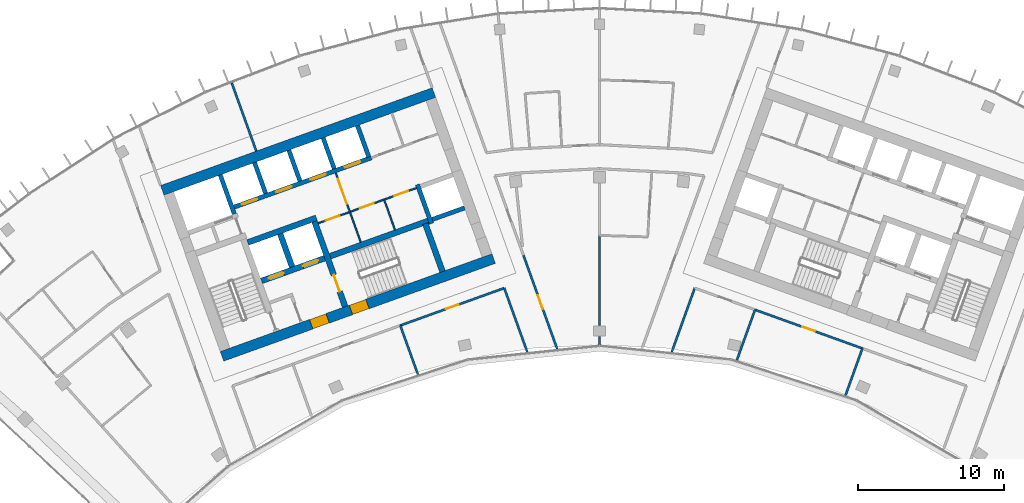
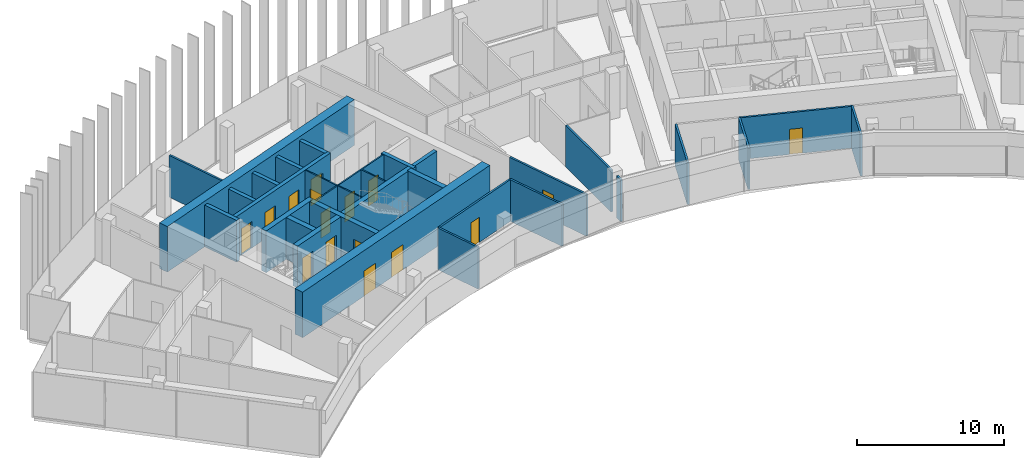
# One storey, part 14 of 19: 29 walls, 16 doors, 16 openings.
"""IFC4 building model written with IfcOpenShell, lengths in metres."""

from ifc_helpers import new_model, si_unit, direction, frame, frame_2d, origin, place, context, subcontext, project, spatial, rectangle, extrude, material, layer, layer_set, type_object, element, fill, save


model = new_model("IFC4")

# Units and contexts
model_context = context("Model", 3, precision=1e-05, world=origin(), true_north=direction((0.0, 1.0)))
body_context = subcontext(model_context, "Body", "Model", "MODEL_VIEW")
ifc_project = project(units=[si_unit("LENGTHUNIT", "METRE"), si_unit("AREAUNIT", "SQUARE_METRE"), si_unit("VOLUMEUNIT", "CUBIC_METRE"), si_unit("PLANEANGLEUNIT", "RADIAN"), si_unit("MASSUNIT", "GRAM", prefix="KILO")], contexts=[model_context])

# Site, building, storey
site_placement = place(None, origin())
site = spatial("IfcSite", under=ifc_project, at=site_placement, CompositionType="ELEMENT")
building_placement = place(site_placement, origin())
building = spatial("IfcBuilding", under=site, at=building_placement, Name="Stone Belt Terrace Tower", CompositionType="ELEMENT")
storey_placement = place(building_placement, frame((0.0, 0.0, 292.199951171875)))
storey = spatial("IfcBuildingStorey", under=building, at=storey_placement, Name="L71", CompositionType="ELEMENT", Elevation=292.199951171875)

# Wall, openings, doors
ifc_material_1 = material(Name="Plasterboard partition")
ifc_layer_1 = layer(ifc_material_1, 0.10009765625)
ifc_layer_set_1 = layer_set([ifc_layer_1], Name="Core partition 100")
wall_type_1 = type_object("IfcWallType", Name="Core partition 100", PredefinedType="PARTITIONING", material=ifc_layer_set_1)
wall_1_placement = place(storey_placement, frame((-19.29052734375, 51.829833984375, 0.0), z_axis=(0.0, 0.0, 1.0), x_axis=(0.94092179465, 0.338623945331, 0.0)))
wall_1 = element("IfcWall", 1, at=wall_1_placement, inside=storey, type_object=wall_type_1, Name="Core A wall", PredefinedType="PARTITIONING", context=body_context, shape_type="SweptSolid", body=[
    extrude(rectangle(XDim=7.14990234375, YDim=0.10009765625, at=frame_2d((3.574951171875, 0.0))), origin(), (0.0, 0.0, 1.0), 3.47998046875),
])
opening_1_placement = place(wall_1_placement, frame((0.550048828125, 0.0, 0.0)))
opening_1 = element("IfcOpeningElement", 2, at=opening_1_placement, cuts=wall_1, Name="Opening L71-C03", PredefinedType="OPENING", context=body_context, shape_type="SweptSolid", body=[
    extrude(rectangle(XDim=1.0, YDim=2.10009765625, at=frame_2d((0.5, 1.050048828125))), frame((0.0, 0.06005859375, 0.0), z_axis=(0.0, -1.0, 0.0), x_axis=(1.0, 0.0, 0.0)), (0.0, 0.0, 1.0), 0.1201171875),
])
opening_2_placement = place(wall_1_placement, frame((3.050048828125, 0.0, 0.0)))
opening_2 = element("IfcOpeningElement", 3, at=opening_2_placement, cuts=wall_1, Name="Opening L71-C04", PredefinedType="OPENING", context=body_context, shape_type="SweptSolid", body=[
    extrude(rectangle(XDim=1.0, YDim=2.10009765625, at=frame_2d((0.5, 1.050048828125))), frame((0.0, 0.06005859375, 0.0), z_axis=(0.0, -1.0, 0.0), x_axis=(1.0, 0.0, 0.0)), (0.0, 0.0, 1.0), 0.1201171875),
])
opening_3_placement = place(wall_1_placement, frame((5.550048828125, 0.0, 0.0)))
opening_3 = element("IfcOpeningElement", 4, at=opening_3_placement, cuts=wall_1, Name="Opening L71-C05", PredefinedType="OPENING", context=body_context, shape_type="SweptSolid", body=[
    extrude(rectangle(XDim=1.0, YDim=2.10009765625, at=frame_2d((0.5, 1.050048828125))), frame((0.0, 0.06005859375, 0.0), z_axis=(0.0, -1.0, 0.0), x_axis=(1.0, 0.0, 0.0)), (0.0, 0.0, 1.0), 0.1201171875),
])
ifc_material_2 = material(Name="Timber door leaf", Category="wood")
door_type_1 = type_object("IfcDoorType", Name="Core room door 1000", OperationType="SINGLE_SWING_LEFT", PredefinedType="DOOR", material=ifc_material_2)
door_1_placement = place(opening_1_placement, origin())
door_1 = element("IfcDoor", 5, at=door_1_placement, inside=storey, type_object=door_type_1, Name="Door to Electrical room core A", OperationType="SINGLE_SWING_LEFT", OverallHeight=2.10009765625, OverallWidth=1.0, PredefinedType="DOOR", context=body_context, shape_type="SweptSolid", body=[
    extrude(rectangle(XDim=1.0, YDim=2.10009765625, at=frame_2d((0.5, 1.050048828125))), frame((0.0, 0.02490234375, 0.0), z_axis=(0.0, -1.0, 0.0), x_axis=(1.0, 0.0, 0.0)), (0.0, 0.0, 1.0), 0.050048828125),
])
fill(opening_1, door_1)
door_2_placement = place(opening_2_placement, origin())
door_2 = element("IfcDoor", 6, at=door_2_placement, inside=storey, type_object=door_type_1, Name="Door to Ventilation plant room core A", OperationType="SINGLE_SWING_RIGHT", OverallHeight=2.10009765625, OverallWidth=1.0, PredefinedType="DOOR", context=body_context, shape_type="SweptSolid", body=[
    extrude(rectangle(XDim=1.0, YDim=2.10009765625, at=frame_2d((0.5, 1.050048828125))), frame((0.0, 0.02490234375, 0.0), z_axis=(0.0, -1.0, 0.0), x_axis=(1.0, 0.0, 0.0)), (0.0, 0.0, 1.0), 0.050048828125),
])
fill(opening_2, door_2)
door_3_placement = place(opening_3_placement, origin())
door_3 = element("IfcDoor", 7, at=door_3_placement, inside=storey, type_object=door_type_1, Name="Door to Services store core A", OperationType="SINGLE_SWING_LEFT", OverallHeight=2.10009765625, OverallWidth=1.0, PredefinedType="DOOR", context=body_context, shape_type="SweptSolid", body=[
    extrude(rectangle(XDim=1.0, YDim=2.10009765625, at=frame_2d((0.5, 1.050048828125))), frame((0.0, 0.02490234375, 0.0), z_axis=(0.0, -1.0, 0.0), x_axis=(1.0, 0.0, 0.0)), (0.0, 0.0, 1.0), 0.050048828125),
])
fill(opening_3, door_3)

# Wall, opening, door
wall_2_placement = place(storey_placement, frame((-16.38134765625, 50.53857421875, 0.0), z_axis=(0.0, 0.0, 1.0), x_axis=(-0.33860476744, 0.940928696271, 0.0)))
wall_2 = element("IfcWall", 8, at=wall_2_placement, inside=storey, type_object=wall_type_1, Name="Core A wall", PredefinedType="PARTITIONING", context=body_context, shape_type="SweptSolid", body=[
    extrude(rectangle(XDim=5.050048828125, YDim=0.10009765625, at=frame_2d((2.52490234375, 0.0))), origin(), (0.0, 0.0, 1.0), 3.47998046875),
])
opening_4_placement = place(wall_2_placement, frame((2.800048828125, 0.0, 0.0)))
opening_4 = element("IfcOpeningElement", 9, at=opening_4_placement, cuts=wall_2, Name="Opening L71-C08", PredefinedType="OPENING", context=body_context, shape_type="SweptSolid", body=[
    extrude(rectangle(XDim=1.800048828125, YDim=2.10009765625, at=frame_2d((0.89990234375, 1.050048828125))), frame((0.0, 0.06005859375, 0.0), z_axis=(0.0, -1.0, 0.0), x_axis=(1.0, 0.0, 0.0)), (0.0, 0.0, 1.0), 0.1201171875),
])
ifc_material_3 = material(Name="Glazed aluminium door leaf", Category="aluminium")
door_type_2 = type_object("IfcDoorType", Name="Lift lobby entrance door 1800", OperationType="DOUBLE_DOOR_SINGLE_SWING", PredefinedType="DOOR", material=ifc_material_3)
door_4_placement = place(opening_4_placement, origin())
door_4 = element("IfcDoor", 10, at=door_4_placement, inside=storey, type_object=door_type_2, Name="Lift lobby double door core A", OperationType="DOUBLE_DOOR_SINGLE_SWING", OverallHeight=2.10009765625, OverallWidth=1.800048828125, PredefinedType="DOOR", context=body_context, shape_type="SweptSolid", body=[
    extrude(rectangle(XDim=1.800048828125, YDim=2.10009765625, at=frame_2d((0.89990234375, 1.050048828125))), frame((0.0, 0.02490234375, 0.0), z_axis=(0.0, -1.0, 0.0), x_axis=(1.0, 0.0, 0.0)), (0.0, 0.0, 1.0), 0.050048828125),
])
fill(opening_4, door_4)

# Wall
wall_3_placement = place(storey_placement, frame((-14.029052734375, 51.38525390625, 0.0), z_axis=(0.0, 0.0, 1.0), x_axis=(-0.338622960269, 0.940922149159, 0.0)))
element("IfcWall", 11, at=wall_3_placement, inside=storey, type_object=wall_type_1, Name="Core A wall", PredefinedType="PARTITIONING", context=body_context, shape_type="SweptSolid", body=[
    extrude(rectangle(XDim=2.14990234375, YDim=0.10009765625, at=frame_2d((1.074951171875, 0.0))), origin(), (0.0, 0.0, 1.0), 3.47998046875),
])

# Wall, openings, doors
ifc_material_4 = material(Name="Concrete B60", Category="concrete")
ifc_layer_2 = layer(ifc_material_4, 0.699951171875)
ifc_layer_set_2 = layer_set([ifc_layer_2], Name="Core wall 700 B60")
wall_type_2 = type_object("IfcWallType", Name="Core wall 700 B60", PredefinedType="SHEAR", material=ifc_layer_set_2)
wall_4_placement = place(storey_placement, frame((-25.890869140625, 42.705810546875, 0.0), z_axis=(0.0, 0.0, 1.0), x_axis=(0.940925130461, 0.338614676094, 0.0)))
wall_4 = element("IfcWall", 12, at=wall_4_placement, inside=storey, type_object=wall_type_2, Name="Core A wall concave L71", PredefinedType="SHEAR", context=body_context, shape_type="SweptSolid", body=[
    extrude(rectangle(XDim=19.800048828125, YDim=0.699951171875, at=frame_2d((9.89990234375, 0.0))), origin(), (0.0, 0.0, 1.0), 3.800048828125),
])
opening_5_placement = place(wall_4_placement, frame((6.5, 0.0, 0.0)))
opening_5 = element("IfcOpeningElement", 13, at=opening_5_placement, cuts=wall_4, Name="Opening L71-C12", PredefinedType="OPENING", context=body_context, shape_type="SweptSolid", body=[
    extrude(rectangle(XDim=1.199951171875, YDim=2.10009765625, at=frame_2d((0.60009765625, 1.050048828125))), frame((0.0, 0.35986328125, 0.0), z_axis=(0.0, -1.0, 0.0), x_axis=(1.0, 0.0, 0.0)), (0.0, 0.0, 1.0), 0.719970703125),
])
opening_6_placement = place(wall_4_placement, frame((9.39990234375, 0.0, 0.0)))
opening_6 = element("IfcOpeningElement", 14, at=opening_6_placement, cuts=wall_4, Name="Opening L71-C14", PredefinedType="OPENING", context=body_context, shape_type="SweptSolid", body=[
    extrude(rectangle(XDim=1.199951171875, YDim=2.10009765625, at=frame_2d((0.60009765625, 1.050048828125))), frame((0.0, 0.35986328125, 0.0), z_axis=(0.0, -1.0, 0.0), x_axis=(1.0, 0.0, 0.0)), (0.0, 0.0, 1.0), 0.719970703125),
])
ifc_material_5 = material(Name="Steel door leaf", Category="steel")
door_type_3 = type_object("IfcDoorType", Name="Fire-fighting lobby door 1200", OperationType="SINGLE_SWING_LEFT", PredefinedType="DOOR", material=ifc_material_5)
door_5_placement = place(opening_5_placement, origin())
door_5 = element("IfcDoor", 15, at=door_5_placement, inside=storey, type_object=door_type_3, Name="Fire-fighting lobby door core A", OperationType="SINGLE_SWING_LEFT", OverallHeight=2.10009765625, OverallWidth=1.199951171875, PredefinedType="DOOR", context=body_context, shape_type="SweptSolid", body=[
    extrude(rectangle(XDim=1.199951171875, YDim=2.10009765625, at=frame_2d((0.60009765625, 1.050048828125))), frame((0.0, 0.330078125, 0.0), z_axis=(0.0, -1.0, 0.0), x_axis=(1.0, 0.0, 0.0)), (0.0, 0.0, 1.0), 0.659912109375),
])
fill(opening_5, door_5)
door_type_4 = type_object("IfcDoorType", Name="Stair door 1200", OperationType="SINGLE_SWING_LEFT", PredefinedType="DOOR", material=ifc_material_5)
door_6_placement = place(opening_6_placement, origin())
door_6 = element("IfcDoor", 16, at=door_6_placement, inside=storey, type_object=door_type_4, Name="Stair 2 exit door core A", OperationType="SINGLE_SWING_RIGHT", OverallHeight=2.10009765625, OverallWidth=1.199951171875, PredefinedType="DOOR", context=body_context, shape_type="SweptSolid", body=[
    extrude(rectangle(XDim=1.199951171875, YDim=2.10009765625, at=frame_2d((0.60009765625, 1.050048828125))), frame((0.0, 0.330078125, 0.0), z_axis=(0.0, -1.0, 0.0), x_axis=(1.0, 0.0, 0.0)), (0.0, 0.0, 1.0), 0.659912109375),
])
fill(opening_6, door_6)

# Walls
wall_5_placement = place(storey_placement, frame((-29.988037109375, 54.0908203125, 0.0), z_axis=(0.0, 0.0, 1.0), x_axis=(0.940919787944, 0.33862952124, 0.0)))
element("IfcWall", 17, at=wall_5_placement, inside=storey, type_object=wall_type_2, Name="Core A wall convex L71", PredefinedType="SHEAR", context=body_context, shape_type="SweptSolid", body=[
    extrude(rectangle(XDim=19.7998046875, YDim=0.699951171875, at=frame_2d((9.89990234375, 0.0))), origin(), (0.0, 0.0, 1.0), 3.800048828125),
])
ifc_material_6 = material(Name="Concrete B80", Category="concrete")
ifc_layer_3 = layer(ifc_material_6, 0.39990234375)
ifc_layer_set_3 = layer_set([ifc_layer_3], Name="Fire-fighting lift shaft wall 400")
wall_type_3 = type_object("IfcWallType", Name="Fire-fighting lift shaft wall 400", PredefinedType="SHEAR", material=ifc_layer_set_3)
wall_6_placement = place(storey_placement, frame((-24.130615234375, 50.512939453125, 0.0), z_axis=(0.0, 0.0, 1.0), x_axis=(0.94091168377, 0.338652038744, 0.0)))
element("IfcWall", 18, at=wall_6_placement, inside=storey, type_object=wall_type_3, Name="Core A wall", PredefinedType="SHEAR", context=body_context, shape_type="SweptSolid", body=[
    extrude(rectangle(XDim=5.000244140625, YDim=0.39990234375, at=frame_2d((2.5, 0.0))), origin(), (0.0, 0.0, 1.0), 3.47998046875),
])
wall_7_placement = place(storey_placement, frame((-21.0859375, 48.845458984375, 0.0), z_axis=(0.0, 0.0, 1.0), x_axis=(-0.338629416206, 0.940919825745, 0.0)))
element("IfcWall", 19, at=wall_7_placement, inside=storey, type_object=wall_type_3, Name="Core A wall", PredefinedType="SHEAR", context=body_context, shape_type="SweptSolid", body=[
    extrude(rectangle(XDim=2.400146484375, YDim=0.39990234375, at=frame_2d((1.2001953125, 0.0))), origin(), (0.0, 0.0, 1.0), 3.47998046875),
])
ifc_layer_4 = layer(ifc_material_6, 0.300048828125)
ifc_layer_set_4 = layer_set([ifc_layer_4], Name="Lift shaft wall 300")
wall_type_4 = type_object("IfcWallType", Name="Lift shaft wall 300", PredefinedType="SHEAR", material=ifc_layer_set_4)
wall_8_placement = place(storey_placement, frame((-25.046875, 52.46826171875, 0.0), z_axis=(0.0, 0.0, 1.0), x_axis=(-0.338549588058, 0.940948551423, 0.0)))
element("IfcWall", 20, at=wall_8_placement, inside=storey, type_object=wall_type_4, Name="Core A wall", PredefinedType="SHEAR", context=body_context, shape_type="SweptSolid", body=[
    extrude(rectangle(XDim=2.849853515625, YDim=0.300048828125, at=frame_2d((1.4248046875, 0.0))), origin(), (0.0, 0.0, 1.0), 3.47998046875),
])

# Wall, openings, doors
wall_9_placement = place(storey_placement, frame((-25.05810546875, 52.9423828125, 0.0), z_axis=(0.0, 0.0, 1.0), x_axis=(0.940924441602, 0.338616590255, 0.0)))
wall_9 = element("IfcWall", 21, at=wall_9_placement, inside=storey, type_object=wall_type_4, Name="Core A wall", PredefinedType="SHEAR", context=body_context, shape_type="SweptSolid", body=[
    extrude(rectangle(XDim=10.000244140625, YDim=0.300048828125, at=frame_2d((5.0, 0.0))), origin(), (0.0, 0.0, 1.0), 3.47998046875),
])
opening_7_placement = place(wall_9_placement, frame((0.570068359375, 0.0, 0.0)))
opening_7 = element("IfcOpeningElement", 22, at=opening_7_placement, cuts=wall_9, Name="Opening L71-LD01", PredefinedType="OPENING", context=body_context, shape_type="SweptSolid", body=[
    extrude(rectangle(XDim=1.10009765625, YDim=2.199951171875, at=frame_2d((0.550048828125, 1.10009765625))), frame((0.0, 0.159912109375, 0.0), z_axis=(0.0, -1.0, 0.0), x_axis=(1.0, 0.0, 0.0)), (0.0, 0.0, 1.0), 0.320068359375),
])
opening_8_placement = place(wall_9_placement, frame((3.070068359375, 0.0, 0.0)))
opening_8 = element("IfcOpeningElement", 23, at=opening_8_placement, cuts=wall_9, Name="Opening L71-LD02", PredefinedType="OPENING", context=body_context, shape_type="SweptSolid", body=[
    extrude(rectangle(XDim=1.10009765625, YDim=2.199951171875, at=frame_2d((0.550048828125, 1.10009765625))), frame((0.0, 0.159912109375, 0.0), z_axis=(0.0, -1.0, 0.0), x_axis=(1.0, 0.0, 0.0)), (0.0, 0.0, 1.0), 0.320068359375),
])
opening_9_placement = place(wall_9_placement, frame((5.570068359375, 0.0, 0.0)))
opening_9 = element("IfcOpeningElement", 24, at=opening_9_placement, cuts=wall_9, Name="Opening L71-LD03", PredefinedType="OPENING", context=body_context, shape_type="SweptSolid", body=[
    extrude(rectangle(XDim=1.10009765625, YDim=2.199951171875, at=frame_2d((0.550048828125, 1.10009765625))), frame((0.0, 0.159912109375, 0.0), z_axis=(0.0, -1.0, 0.0), x_axis=(1.0, 0.0, 0.0)), (0.0, 0.0, 1.0), 0.320068359375),
])
opening_10_placement = place(wall_9_placement, frame((8.070068359375, 0.0, 0.0)))
opening_10 = element("IfcOpeningElement", 25, at=opening_10_placement, cuts=wall_9, Name="Opening L71-LD04", PredefinedType="OPENING", context=body_context, shape_type="SweptSolid", body=[
    extrude(rectangle(XDim=1.10009765625, YDim=2.199951171875, at=frame_2d((0.550048828125, 1.10009765625))), frame((0.0, 0.159912109375, 0.0), z_axis=(0.0, -1.0, 0.0), x_axis=(1.0, 0.0, 0.0)), (0.0, 0.0, 1.0), 0.320068359375),
])
ifc_material_7 = material(Name="Stainless steel door leaf", Category="steel")
door_type_5 = type_object("IfcDoorType", Name="Landing door 1100", OperationType="SLIDING_TO_LEFT", PredefinedType="DOOR", material=ifc_material_7)
door_7_placement = place(opening_7_placement, origin())
door_7 = element("IfcDoor", 26, at=door_7_placement, inside=storey, type_object=door_type_5, Name="Landing door HR1 core A", OperationType="SLIDING_TO_LEFT", OverallHeight=2.199951171875, OverallWidth=1.10009765625, PredefinedType="DOOR", context=body_context, shape_type="SweptSolid", body=[
    extrude(rectangle(XDim=1.10009765625, YDim=2.199951171875, at=frame_2d((0.550048828125, 1.10009765625))), frame((0.0, 0.02490234375, 0.0), z_axis=(0.0, -1.0, 0.0), x_axis=(1.0, 0.0, 0.0)), (0.0, 0.0, 1.0), 0.050048828125),
])
fill(opening_7, door_7)
door_8_placement = place(opening_8_placement, origin())
door_8 = element("IfcDoor", 27, at=door_8_placement, inside=storey, type_object=door_type_5, Name="Landing door HR2 core A", OperationType="SLIDING_TO_LEFT", OverallHeight=2.199951171875, OverallWidth=1.10009765625, PredefinedType="DOOR", context=body_context, shape_type="SweptSolid", body=[
    extrude(rectangle(XDim=1.10009765625, YDim=2.199951171875, at=frame_2d((0.550048828125, 1.10009765625))), frame((0.0, 0.02490234375, 0.0), z_axis=(0.0, -1.0, 0.0), x_axis=(1.0, 0.0, 0.0)), (0.0, 0.0, 1.0), 0.050048828125),
])
fill(opening_8, door_8)
door_9_placement = place(opening_9_placement, origin())
door_9 = element("IfcDoor", 28, at=door_9_placement, inside=storey, type_object=door_type_5, Name="Landing door HR3 core A", OperationType="SLIDING_TO_LEFT", OverallHeight=2.199951171875, OverallWidth=1.10009765625, PredefinedType="DOOR", context=body_context, shape_type="SweptSolid", body=[
    extrude(rectangle(XDim=1.10009765625, YDim=2.199951171875, at=frame_2d((0.550048828125, 1.10009765625))), frame((0.0, 0.02490234375, 0.0), z_axis=(0.0, -1.0, 0.0), x_axis=(1.0, 0.0, 0.0)), (0.0, 0.0, 1.0), 0.050048828125),
])
fill(opening_9, door_9)
door_10_placement = place(opening_10_placement, origin())
door_10 = element("IfcDoor", 29, at=door_10_placement, inside=storey, type_object=door_type_5, Name="Landing door HR4 core A", OperationType="SLIDING_TO_LEFT", OverallHeight=2.199951171875, OverallWidth=1.10009765625, PredefinedType="DOOR", context=body_context, shape_type="SweptSolid", body=[
    extrude(rectangle(XDim=1.10009765625, YDim=2.199951171875, at=frame_2d((0.550048828125, 1.10009765625))), frame((0.0, 0.02490234375, 0.0), z_axis=(0.0, -1.0, 0.0), x_axis=(1.0, 0.0, 0.0)), (0.0, 0.0, 1.0), 0.050048828125),
])
fill(opening_10, door_10)

# Walls
wall_10_placement = place(storey_placement, frame((-22.897705078125, 53.87939453125, 0.0), z_axis=(0.0, 0.0, 1.0), x_axis=(-0.338535034312, 0.940953787677, 0.0)))
element("IfcWall", 30, at=wall_10_placement, inside=storey, type_object=wall_type_4, Name="Core A wall", PredefinedType="SHEAR", context=body_context, shape_type="SweptSolid", body=[
    extrude(rectangle(XDim=2.25, YDim=0.300048828125, at=frame_2d((1.125, 0.0))), origin(), (0.0, 0.0, 1.0), 3.47998046875),
])
wall_11_placement = place(storey_placement, frame((-20.54541015625, 54.72607421875, 0.0), z_axis=(0.0, 0.0, 1.0), x_axis=(-0.338569601369, 0.940941350472, 0.0)))
element("IfcWall", 31, at=wall_11_placement, inside=storey, type_object=wall_type_4, Name="Core A wall", PredefinedType="SHEAR", context=body_context, shape_type="SweptSolid", body=[
    extrude(rectangle(XDim=2.249755859375, YDim=0.300048828125, at=frame_2d((1.125, 0.0))), origin(), (0.0, 0.0, 1.0), 3.47998046875),
])
wall_12_placement = place(storey_placement, frame((-18.193115234375, 55.572509765625, 0.0), z_axis=(0.0, 0.0, 1.0), x_axis=(-0.338535034312, 0.940953787677, 0.0)))
element("IfcWall", 32, at=wall_12_placement, inside=storey, type_object=wall_type_4, Name="Core A wall", PredefinedType="SHEAR", context=body_context, shape_type="SweptSolid", body=[
    extrude(rectangle(XDim=2.25, YDim=0.300048828125, at=frame_2d((1.125, 0.0))), origin(), (0.0, 0.0, 1.0), 3.47998046875),
])
wall_13_placement = place(storey_placement, frame((-15.82373046875, 56.3720703125, 0.0), z_axis=(0.0, 0.0, 1.0), x_axis=(-0.338621735342, 0.94092258999, 0.0)))
element("IfcWall", 33, at=wall_13_placement, inside=storey, type_object=wall_type_4, Name="Core A wall", PredefinedType="SHEAR", context=body_context, shape_type="SweptSolid", body=[
    extrude(rectangle(XDim=2.300048828125, YDim=0.300048828125, at=frame_2d((1.14990234375, 0.0))), origin(), (0.0, 0.0, 1.0), 3.47998046875),
])
wall_14_placement = place(storey_placement, frame((-11.5244140625, 51.808349609375, 0.0), z_axis=(0.0, 0.0, 1.0), x_axis=(-0.338625431531, 0.940921259788, 0.0)))
element("IfcWall", 34, at=wall_14_placement, inside=storey, type_object=wall_type_4, Name="Core A wall", PredefinedType="SHEAR", context=body_context, shape_type="SweptSolid", body=[
    extrude(rectangle(XDim=2.85009765625, YDim=0.300048828125, at=frame_2d((1.425048828125, 0.0))), origin(), (0.0, 0.0, 1.0), 3.47998046875),
])
wall_15_placement = place(storey_placement, frame((-11.468017578125, 52.09423828125, 0.0), z_axis=(0.0, 0.0, 1.0), x_axis=(0.940904627055, 0.338671644496, 0.0)))
element("IfcWall", 35, at=wall_15_placement, inside=storey, type_object=wall_type_4, Name="Core A wall", PredefinedType="SHEAR", context=body_context, shape_type="SweptSolid", body=[
    extrude(rectangle(XDim=2.35009765625, YDim=0.300048828125, at=frame_2d((1.175048828125, 0.0))), origin(), (0.0, 0.0, 1.0), 3.47998046875),
])
ifc_material_8 = material(Name="Gypsum board partition")
ifc_layer_5 = layer(ifc_material_8, 0.14990234375)
ifc_layer_set_5 = layer_set([ifc_layer_5], Name="PARTITION 150 EI 60")
wall_type_5 = type_object("IfcWallType", Name="PARTITION 150 EI 60", PredefinedType="PARTITIONING", material=ifc_layer_set_5)
wall_16_placement = place(storey_placement, frame((-4.9462890625, 42.980224609375, 0.0), z_axis=(0.0, 0.0, 1.0), x_axis=(-0.338653121837, 0.940911293943, 0.0)))
element("IfcWall", 36, at=wall_16_placement, inside=storey, type_object=wall_type_5, Name="L71/wall/i007", PredefinedType="PARTITIONING", context=body_context, shape_type="SweptSolid", body=[
    extrude(rectangle(XDim=4.69091796875, YDim=0.14990234375, at=frame_2d((2.345458984375, 0.0))), origin(), (0.0, 0.0, 1.0), 3.47998046875),
])

# Wall, opening, door
wall_17_placement = place(storey_placement, frame((-5.22509765625, 49.6630859375, 0.0), z_axis=(0.0, 0.0, 1.0), x_axis=(0.338558474785, -0.940945353966, 0.0)))
wall_17 = element("IfcWall", 37, at=wall_17_placement, inside=storey, type_object=wall_type_5, Name="L71/wall/i010", PredefinedType="PARTITIONING", context=body_context, shape_type="SweptSolid", body=[
    extrude(rectangle(XDim=6.873779296875, YDim=0.14990234375, at=frame_2d((3.43701171875, 0.0))), origin(), (0.0, 0.0, 1.0), 3.47998046875),
])
opening_11_placement = place(wall_17_placement, frame((2.936767578125, 0.0, 0.0)))
opening_11 = element("IfcOpeningElement", 38, at=opening_11_placement, cuts=wall_17, Name="Opening D-E4-25", PredefinedType="OPENING", context=body_context, shape_type="SweptSolid", body=[
    extrude(rectangle(XDim=1.0, YDim=2.10009765625, at=frame_2d((0.5, 1.050048828125))), frame((0.0, 0.0849609375, 0.0), z_axis=(0.0, -1.0, 0.0), x_axis=(1.0, 0.0, 0.0)), (0.0, 0.0, 1.0), 0.169921875),
])
ifc_material_9 = material(Name="Timber fire door leaf", Category="wood")
door_type_6 = type_object("IfcDoorType", Name="TENANCY ENTRANCE DOOR 1000 X 2100", OperationType="NOTDEFINED", PredefinedType="DOOR", material=ifc_material_9)
door_11_placement = place(opening_11_placement, origin())
door_11 = element("IfcDoor", 39, at=door_11_placement, inside=storey, type_object=door_type_6, Name="L71/door/i25", OperationType="SINGLE_SWING_RIGHT", OverallHeight=2.10009765625, OverallWidth=1.0, PredefinedType="DOOR", context=body_context, shape_type="SweptSolid", body=[
    extrude(rectangle(XDim=1.0, YDim=2.10009765625, at=frame_2d((0.5, 1.050048828125))), frame((0.0, 0.02490234375, 0.0), z_axis=(0.0, -1.0, 0.0), x_axis=(1.0, 0.0, 0.0)), (0.0, 0.0, 1.0), 0.050048828125),
])
fill(opening_11, door_11)

wall_18_placement = place(storey_placement, frame((-6.532958984375, 47.387939453125, 0.0), z_axis=(0.0, 0.0, 1.0), x_axis=(-0.940947714994, -0.33855191278, 0.0)))
wall_18 = element("IfcWall", 40, at=wall_18_placement, inside=storey, type_object=wall_type_5, Name="L71/wall/i014", PredefinedType="PARTITIONING", context=body_context, shape_type="SweptSolid", body=[
    extrude(rectangle(XDim=7.5849609375, YDim=0.14990234375, at=frame_2d((3.79248046875, 0.0))), origin(), (0.0, 0.0, 1.0), 3.47998046875),
])
opening_12_placement = place(wall_18_placement, frame((3.342529296875, 0.0, 0.0)))
opening_12 = element("IfcOpeningElement", 41, at=opening_12_placement, cuts=wall_18, Name="Opening D-E4-03", PredefinedType="OPENING", context=body_context, shape_type="SweptSolid", body=[
    extrude(rectangle(XDim=0.89990234375, YDim=2.10009765625, at=frame_2d((0.449951171875, 1.050048828125))), frame((0.0, 0.0849609375, 0.0), z_axis=(0.0, -1.0, 0.0), x_axis=(1.0, 0.0, 0.0)), (0.0, 0.0, 1.0), 0.169921875),
])
door_type_7 = type_object("IfcDoorType", Name="OFFICE DOOR 900 X 2100", OperationType="NOTDEFINED", PredefinedType="DOOR", material=ifc_material_2)
door_12_placement = place(opening_12_placement, origin())
door_12 = element("IfcDoor", 42, at=door_12_placement, inside=storey, type_object=door_type_7, Name="L71/door/i03", OperationType="SINGLE_SWING_RIGHT", OverallHeight=2.10009765625, OverallWidth=0.89990234375, PredefinedType="DOOR", context=body_context, shape_type="SweptSolid", body=[
    extrude(rectangle(XDim=0.89990234375, YDim=2.10009765625, at=frame_2d((0.449951171875, 1.050048828125))), frame((0.0, 0.02490234375, 0.0), z_axis=(0.0, -1.0, 0.0), x_axis=(1.0, 0.0, 0.0)), (0.0, 0.0, 1.0), 0.050048828125),
])
fill(opening_12, door_12)

# Walls
wall_19_placement = place(storey_placement, frame((-13.6640625, 44.821044921875, 0.0), z_axis=(0.0, 0.0, 1.0), x_axis=(0.33862313467, -0.940922086395, 0.0)))
element("IfcWall", 43, at=wall_19_placement, inside=storey, type_object=wall_type_5, Name="L71/wall/i016", PredefinedType="PARTITIONING", context=body_context, shape_type="SweptSolid", body=[
    extrude(rectangle(XDim=3.58984375, YDim=0.14990234375, at=frame_2d((1.794921875, 0.0))), origin(), (0.0, 0.0, 1.0), 3.47998046875),
])
wall_20_placement = place(storey_placement, frame((-25.221923828125, 61.451171875, 0.0), z_axis=(0.0, 0.0, 1.0), x_axis=(0.338607943812, -0.940927553209, 0.0)))
element("IfcWall", 44, at=wall_20_placement, inside=storey, type_object=wall_type_5, Name="L71/wall/i017", PredefinedType="PARTITIONING", context=body_context, shape_type="SweptSolid", body=[
    extrude(rectangle(XDim=4.961181640625, YDim=0.14990234375, at=frame_2d((2.48046875, 0.0))), origin(), (0.0, 0.0, 1.0), 3.47998046875),
])
wall_21_placement = place(storey_placement, frame((6.534912109375, 47.39404296875, 0.0), z_axis=(0.0, 0.0, 1.0), x_axis=(-0.338653121837, -0.940911293943, 0.0)))
element("IfcWall", 45, at=wall_21_placement, inside=storey, type_object=wall_type_5, Name="L71/wall/i018", PredefinedType="PARTITIONING", context=body_context, shape_type="SweptSolid", body=[
    extrude(rectangle(XDim=4.69091796875, YDim=0.14990234375, at=frame_2d((2.345458984375, 0.0))), origin(), (0.0, 0.0, 1.0), 3.47998046875),
])

# Wall, opening, door
wall_22_placement = place(storey_placement, frame((18.0380859375, 43.2470703125, 0.0), z_axis=(0.0, 0.0, 1.0), x_axis=(-0.940932650743, 0.338593778393, 0.0)))
wall_22 = element("IfcWall", 46, at=wall_22_placement, inside=storey, type_object=wall_type_5, Name="L71/wall/i030", PredefinedType="PARTITIONING", context=body_context, shape_type="SweptSolid", body=[
    extrude(rectangle(XDim=7.84130859375, YDim=0.14990234375, at=frame_2d((3.920654296875, 0.0))), origin(), (0.0, 0.0, 1.0), 3.47998046875),
])
opening_13_placement = place(wall_22_placement, frame((3.470703125, 0.0, 0.0)))
opening_13 = element("IfcOpeningElement", 47, at=opening_13_placement, cuts=wall_22, Name="Opening D-E4-07", PredefinedType="OPENING", context=body_context, shape_type="SweptSolid", body=[
    extrude(rectangle(XDim=0.89990234375, YDim=2.10009765625, at=frame_2d((0.449951171875, 1.050048828125))), frame((0.0, 0.0849609375, 0.0), z_axis=(0.0, -1.0, 0.0), x_axis=(1.0, 0.0, 0.0)), (0.0, 0.0, 1.0), 0.169921875),
])
door_13_placement = place(opening_13_placement, origin())
door_13 = element("IfcDoor", 48, at=door_13_placement, inside=storey, type_object=door_type_7, Name="L71/door/i07", OperationType="SINGLE_SWING_RIGHT", OverallHeight=2.10009765625, OverallWidth=0.89990234375, PredefinedType="DOOR", context=body_context, shape_type="SweptSolid", body=[
    extrude(rectangle(XDim=0.89990234375, YDim=2.10009765625, at=frame_2d((0.449951171875, 1.050048828125))), frame((0.0, 0.02490234375, 0.0), z_axis=(0.0, -1.0, 0.0), x_axis=(1.0, 0.0, 0.0)), (0.0, 0.0, 1.0), 0.050048828125),
])
fill(opening_13, door_13)

# Walls
wall_23_placement = place(storey_placement, frame((10.666015625, 45.89990234375, 0.0), z_axis=(0.0, 0.0, 1.0), x_axis=(-0.338728840905, -0.940884037668, 0.0)))
element("IfcWall", 49, at=wall_23_placement, inside=storey, type_object=wall_type_5, Name="L71/wall/i032", PredefinedType="PARTITIONING", context=body_context, shape_type="SweptSolid", body=[
    extrude(rectangle(XDim=3.689453125, YDim=0.14990234375, at=frame_2d((1.8447265625, 0.0))), origin(), (0.0, 0.0, 1.0), 3.47998046875),
])
wall_24_placement = place(storey_placement, frame((18.031982421875, 43.2490234375, 0.0), z_axis=(0.0, 0.0, 1.0), x_axis=(-0.338593969431, -0.940932581998, 0.0)))
element("IfcWall", 50, at=wall_24_placement, inside=storey, type_object=wall_type_5, Name="L71/wall/i033", PredefinedType="PARTITIONING", context=body_context, shape_type="SweptSolid", body=[
    extrude(rectangle(XDim=3.4443359375, YDim=0.14990234375, at=frame_2d((1.72216796875, 0.0))), origin(), (0.0, 0.0, 1.0), 3.47998046875),
])
wall_25_placement = place(storey_placement, frame((0.0, 51.009033203125, 0.0), z_axis=(0.0, 0.0, 1.0), x_axis=(0.0, -1.0, 0.0)))
element("IfcWall", 51, at=wall_25_placement, inside=storey, type_object=wall_type_5, Name="L71/wall/i092", PredefinedType="PARTITIONING", context=body_context, shape_type="SweptSolid", body=[
    extrude(rectangle(XDim=6.18408203125, YDim=0.14990234375, at=frame_2d((3.092041015625, 0.0))), origin(), (0.0, 0.0, 1.0), 3.47998046875),
])
wall_26_placement = place(storey_placement, frame((0.0, 44.06494140625, 0.0), z_axis=(0.0, 0.0, 1.0), x_axis=(0.0, -1.0, 0.0)))
element("IfcWall", 52, at=wall_26_placement, inside=storey, type_object=wall_type_5, Name="L71/wall/i093", PredefinedType="PARTITIONING", context=body_context, shape_type="SweptSolid", body=[
    extrude(rectangle(XDim=0.56494140625, YDim=0.14990234375, at=frame_2d((0.282470703125, 0.0))), origin(), (0.0, 0.0, 1.0), 3.47998046875),
])

# Wall, openings, doors
ifc_layer_6 = layer(ifc_material_6, 0.39990234375)
ifc_layer_set_6 = layer_set([ifc_layer_6], Name="Stair enclosure wall 400")
wall_type_6 = type_object("IfcWallType", Name="Stair enclosure wall 400", PredefinedType="SHEAR", material=ifc_layer_set_6)
wall_27_placement = place(storey_placement, frame((-23.182373046875, 47.87841796875, 0.0), z_axis=(0.0, 0.0, 1.0), x_axis=(0.940921731919, 0.338624119641, 0.0)))
wall_27 = element("IfcWall", 53, at=wall_27_placement, inside=storey, type_object=wall_type_6, Name="Core A wall", PredefinedType="SHEAR", context=body_context, shape_type="SweptSolid", body=[
    extrude(rectangle(XDim=12.14990234375, YDim=0.39990234375, at=frame_2d((6.074951171875, 0.0))), origin(), (0.0, 0.0, 1.0), 3.47998046875),
])
opening_14_placement = place(wall_27_placement, frame((0.52001953125, 0.0, 0.0)))
opening_14 = element("IfcOpeningElement", 54, at=opening_14_placement, cuts=wall_27, Name="Opening L71-LD05", PredefinedType="OPENING", context=body_context, shape_type="SweptSolid", body=[
    extrude(rectangle(XDim=1.10009765625, YDim=2.199951171875, at=frame_2d((0.550048828125, 1.10009765625))), frame((0.0, 0.2099609375, 0.0), z_axis=(0.0, -1.0, 0.0), x_axis=(1.0, 0.0, 0.0)), (0.0, 0.0, 1.0), 0.419921875),
])
opening_15_placement = place(wall_27_placement, frame((3.02001953125, 0.0, 0.0)))
opening_15 = element("IfcOpeningElement", 55, at=opening_15_placement, cuts=wall_27, Name="Opening L71-LD06", PredefinedType="OPENING", context=body_context, shape_type="SweptSolid", body=[
    extrude(rectangle(XDim=1.10009765625, YDim=2.199951171875, at=frame_2d((0.550048828125, 1.10009765625))), frame((0.0, 0.2099609375, 0.0), z_axis=(0.0, -1.0, 0.0), x_axis=(1.0, 0.0, 0.0)), (0.0, 0.0, 1.0), 0.419921875),
])
door_14_placement = place(opening_14_placement, origin())
door_14 = element("IfcDoor", 56, at=door_14_placement, inside=storey, type_object=door_type_5, Name="Landing door FF1 core A", OperationType="SLIDING_TO_LEFT", OverallHeight=2.199951171875, OverallWidth=1.10009765625, PredefinedType="DOOR", context=body_context, shape_type="SweptSolid", body=[
    extrude(rectangle(XDim=1.10009765625, YDim=2.199951171875, at=frame_2d((0.550048828125, 1.10009765625))), frame((0.0, 0.02490234375, 0.0), z_axis=(0.0, -1.0, 0.0), x_axis=(1.0, 0.0, 0.0)), (0.0, 0.0, 1.0), 0.050048828125),
])
fill(opening_14, door_14)
door_15_placement = place(opening_15_placement, origin())
door_15 = element("IfcDoor", 57, at=door_15_placement, inside=storey, type_object=door_type_5, Name="Landing door FF2 core A", OperationType="SLIDING_TO_LEFT", OverallHeight=2.199951171875, OverallWidth=1.10009765625, PredefinedType="DOOR", context=body_context, shape_type="SweptSolid", body=[
    extrude(rectangle(XDim=1.10009765625, YDim=2.199951171875, at=frame_2d((0.550048828125, 1.10009765625))), frame((0.0, 0.02490234375, 0.0), z_axis=(0.0, -1.0, 0.0), x_axis=(1.0, 0.0, 0.0)), (0.0, 0.0, 1.0), 0.050048828125),
])
fill(opening_15, door_15)

# Wall, opening, door
wall_28_placement = place(storey_placement, frame((-17.447021484375, 46.116455078125, 0.0), z_axis=(0.0, 0.0, 1.0), x_axis=(-0.33860791464, 0.940927563707, 0.0)))
wall_28 = element("IfcWall", 58, at=wall_28_placement, inside=storey, type_object=wall_type_6, Name="Core A wall", PredefinedType="SHEAR", context=body_context, shape_type="SweptSolid", body=[
    extrude(rectangle(XDim=6.199951171875, YDim=0.39990234375, at=frame_2d((3.10009765625, 0.0))), origin(), (0.0, 0.0, 1.0), 3.47998046875),
])
opening_16_placement = place(wall_28_placement, frame((1.10009765625, 0.0, 0.0)))
opening_16 = element("IfcOpeningElement", 59, at=opening_16_placement, cuts=wall_28, Name="Opening L71-C13", PredefinedType="OPENING", context=body_context, shape_type="SweptSolid", body=[
    extrude(rectangle(XDim=1.199951171875, YDim=2.10009765625, at=frame_2d((0.60009765625, 1.050048828125))), frame((0.0, 0.2099609375, 0.0), z_axis=(0.0, -1.0, 0.0), x_axis=(1.0, 0.0, 0.0)), (0.0, 0.0, 1.0), 0.419921875),
])
door_16_placement = place(opening_16_placement, origin())
door_16 = element("IfcDoor", 60, at=door_16_placement, inside=storey, type_object=door_type_4, Name="Stair 2 door core A", OperationType="SINGLE_SWING_LEFT", OverallHeight=2.10009765625, OverallWidth=1.199951171875, PredefinedType="DOOR", context=body_context, shape_type="SweptSolid", body=[
    extrude(rectangle(XDim=1.199951171875, YDim=2.10009765625, at=frame_2d((0.60009765625, 1.050048828125))), frame((0.0, 0.02490234375, 0.0), z_axis=(0.0, -1.0, 0.0), x_axis=(1.0, 0.0, 0.0)), (0.0, 0.0, 1.0), 0.050048828125),
])
fill(opening_16, door_16)

# Wall
wall_29_placement = place(storey_placement, frame((-10.766357421875, 48.520751953125, 0.0), z_axis=(0.0, 0.0, 1.0), x_axis=(-0.338655246459, 0.940910529246, 0.0)))
element("IfcWall", 61, at=wall_29_placement, inside=storey, type_object=wall_type_6, Name="Core A wall", PredefinedType="SHEAR", context=body_context, shape_type="SweptSolid", body=[
    extrude(rectangle(XDim=3.5, YDim=0.39990234375, at=frame_2d((1.75, 0.0))), origin(), (0.0, 0.0, 1.0), 3.47998046875),
])

save(model, "model.ifc")
